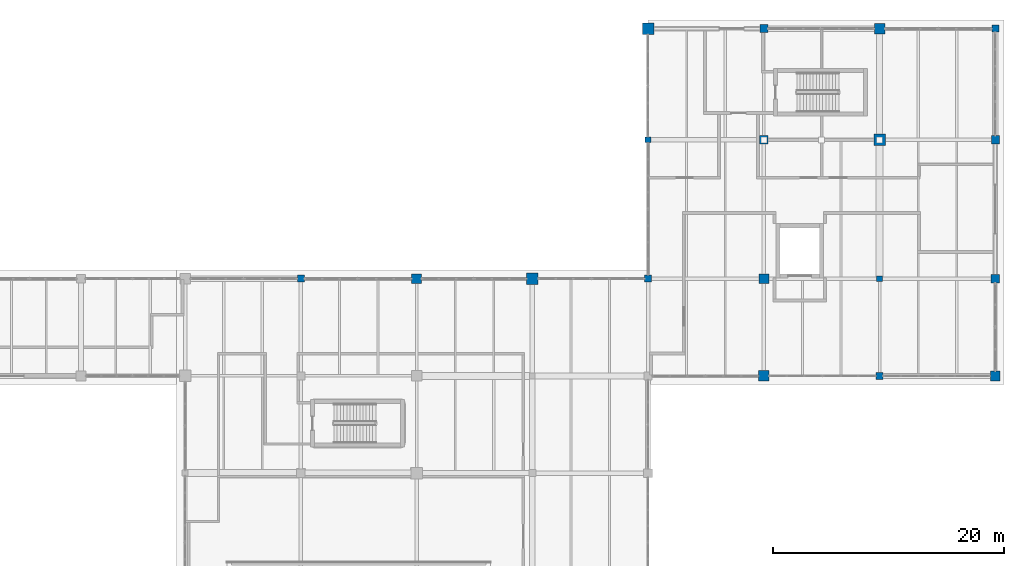
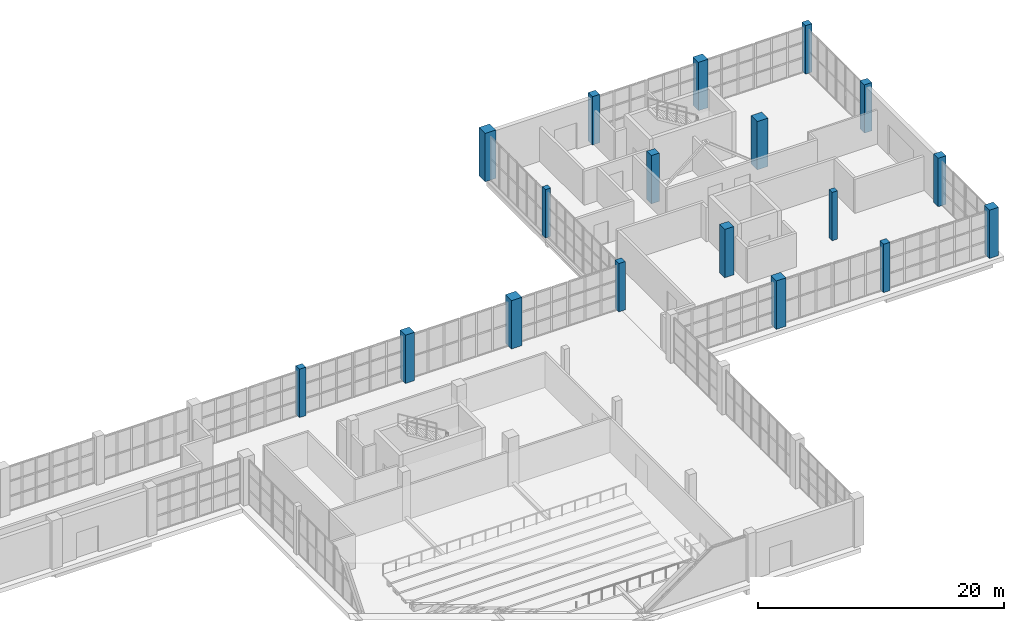
# One storey, part 3 of 121: 18 columns.
"""IFC4 building model written with IfcOpenShell, lengths in metres."""

from ifc_helpers import new_model, si_unit, direction, frame, origin, origin_2d, place, context, subcontext, project, spatial, rectangle, extrude, material, material_profile, profile_set, type_object, element, save


model = new_model("IFC4")

# Units and contexts
model_context = context("Model", 3, precision=1e-05, world=origin(), true_north=direction((0.0, 1.0)))
body_context = subcontext(model_context, "Body", "Model", "MODEL_VIEW")
ifc_project = project(units=[si_unit("LENGTHUNIT", "METRE"), si_unit("AREAUNIT", "SQUARE_METRE"), si_unit("VOLUMEUNIT", "CUBIC_METRE"), si_unit("PLANEANGLEUNIT", "RADIAN"), si_unit("MASSUNIT", "GRAM", prefix="KILO")], contexts=[model_context])

# Site, building, storey
site_placement = place(None, origin())
site = spatial("IfcSite", under=ifc_project, at=site_placement, CompositionType="ELEMENT")
building_placement = place(site_placement, origin())
building = spatial("IfcBuilding", under=site, at=building_placement, Name="Zereglee Splitstone Museum", CompositionType="ELEMENT")
storey_placement = place(building_placement, origin())
storey = spatial("IfcBuildingStorey", under=building, at=storey_placement, Name="L00", CompositionType="ELEMENT", Elevation=0.0)

# Columns
ifc_material = material(Name="Concrete C45/55", Category="concrete")
ifc_material_profile_1 = material_profile(ifc_material, rectangle(XDim=1.0, YDim=1.0, at=origin_2d()), Name="RC 1000x1000")
ifc_profile_set_1 = profile_set([ifc_material_profile_1], Name="Concrete C45/55")
column_type_1 = type_object("IfcColumnType", Name="C-02", PredefinedType="COLUMN", material=ifc_profile_set_1)
for number, where, z_axis, x_axis, name in (
    (1, (286.0, 38.39990234375, 0.0), (0.0, 0.0, 1.0), (1.0, 0.0, 0.0), "Column 32/E L00"),
    (2, (296.0, 60.0, 0.0), (0.0, 0.0, 1.0), (1.0, 0.0, 0.0), "Column 33/G L00"),
    (3, (316.0, 50.39990234375, 0.0), (0.0, 0.0, 1.0), (1.0, 0.0, 0.0), "Column 35/F L00"),
):
    element("IfcColumn", number, at=place(storey_placement, frame(where, z_axis=z_axis, x_axis=x_axis)), inside=storey, type_object=column_type_1, Name=name, PredefinedType="COLUMN", context=body_context, shape_type="SweptSolid", body=[
        extrude(rectangle(XDim=1.0, YDim=1.0, at=origin_2d()), origin(), (0.0, 0.0, 1.0), 4.800048828125),
    ])
ifc_material_profile_2 = material_profile(ifc_material, rectangle(XDim=0.5, YDim=0.5, at=origin_2d()), Name="RC 500x500")
ifc_profile_set_2 = profile_set([ifc_material_profile_2], Name="Concrete C45/55")
column_type_2 = type_object("IfcColumnType", Name="C-08", PredefinedType="COLUMN", material=ifc_profile_set_2)
for number, where, z_axis, x_axis, name in (
    (4, (296.0, 50.39990234375, 0.0), (0.0, 0.0, 1.0), (1.0, 0.0, 0.0), "Column 33/F L00"),
    (5, (316.0, 38.39990234375, 0.0), (0.0, 0.0, 1.0), (1.0, 0.0, 0.0), "Column 35/E L00"),
):
    element("IfcColumn", number, at=place(storey_placement, frame(where, z_axis=z_axis, x_axis=x_axis)), inside=storey, type_object=column_type_2, Name=name, PredefinedType="COLUMN", context=body_context, shape_type="SweptSolid", body=[
        extrude(rectangle(XDim=0.5, YDim=0.5, at=origin_2d()), origin(), (0.0, 0.0, 1.0), 4.800048828125),
    ])
ifc_material_profile_3 = material_profile(ifc_material, rectangle(XDim=0.60009765625, YDim=0.60009765625, at=origin_2d()), Name="RC 600x600")
ifc_profile_set_3 = profile_set([ifc_material_profile_3], Name="Concrete C45/55")
column_type_3 = type_object("IfcColumnType", Name="C-07", PredefinedType="COLUMN", material=ifc_profile_set_3)
for number, where, z_axis, x_axis, name in (
    (6, (266.0, 38.39990234375, 0.0), (0.0, 0.0, 1.0), (1.0, 0.0, 0.0), "Column 30/E L00"),
    (7, (296.0, 38.39990234375, 0.0), (0.0, 0.0, 1.0), (1.0, 0.0, 0.0), "Column 33/E L00"),
    (8, (316.0, 30.0, 0.0), (0.0, 0.0, 1.0), (1.0, 0.0, 0.0), "Column 35/D L00"),
    (9, (326.0, 60.0, 0.0), (0.0, 0.0, 1.0), (1.0, 0.0, 0.0), "Column 36/G L00"),
):
    element("IfcColumn", number, at=place(storey_placement, frame(where, z_axis=z_axis, x_axis=x_axis)), inside=storey, type_object=column_type_3, Name=name, PredefinedType="COLUMN", context=body_context, shape_type="SweptSolid", body=[
        extrude(rectangle(XDim=0.60009765625, YDim=0.60009765625, at=origin_2d()), origin(), (0.0, 0.0, 1.0), 4.800048828125),
    ])
ifc_material_profile_4 = material_profile(ifc_material, rectangle(XDim=0.699951171875, YDim=0.699951171875, at=origin_2d()), Name="RC 700x700")
ifc_profile_set_4 = profile_set([ifc_material_profile_4], Name="Concrete C45/55")
column_type_4 = type_object("IfcColumnType", Name="C-06", PredefinedType="COLUMN", material=ifc_profile_set_4)
for number, where, z_axis, x_axis, name in (
    (10, (306.0, 60.0, 0.0), (0.0, 0.0, 1.0), (1.0, 0.0, 0.0), "Column 34/G L00"),
    (11, (326.0, 50.39990234375, 0.0), (0.0, 0.0, 1.0), (1.0, 0.0, 0.0), "Column 36/F L00"),
):
    element("IfcColumn", number, at=place(storey_placement, frame(where, z_axis=z_axis, x_axis=x_axis)), inside=storey, type_object=column_type_4, Name=name, PredefinedType="COLUMN", context=body_context, shape_type="SweptSolid", body=[
        extrude(rectangle(XDim=0.699951171875, YDim=0.699951171875, at=origin_2d()), origin(), (0.0, 0.0, 1.0), 4.800048828125),
    ])
ifc_material_profile_5 = material_profile(ifc_material, rectangle(XDim=0.75, YDim=0.75, at=origin_2d()), Name="RC 750x750")
ifc_profile_set_5 = profile_set([ifc_material_profile_5], Name="Concrete C45/55")
column_type_5 = type_object("IfcColumnType", Name="C-05", PredefinedType="COLUMN", material=ifc_profile_set_5)
for number, where, z_axis, x_axis, name in (
    (12, (306.0, 50.39990234375, 0.0), (0.0, 0.0, 1.0), (1.0, 0.0, 0.0), "Column 34/F L00"),
    (13, (326.0, 38.39990234375, 0.0), (0.0, 0.0, 1.0), (1.0, 0.0, 0.0), "Column 36/E L00"),
):
    element("IfcColumn", number, at=place(storey_placement, frame(where, z_axis=z_axis, x_axis=x_axis)), inside=storey, type_object=column_type_5, Name=name, PredefinedType="COLUMN", context=body_context, shape_type="SweptSolid", body=[
        extrude(rectangle(XDim=0.75, YDim=0.75, at=origin_2d()), origin(), (0.0, 0.0, 1.0), 4.800048828125),
    ])
ifc_material_profile_6 = material_profile(ifc_material, rectangle(XDim=0.85009765625, YDim=0.85009765625, at=origin_2d()), Name="RC 850x850")
ifc_profile_set_6 = profile_set([ifc_material_profile_6], Name="Concrete C45/55")
column_type_6 = type_object("IfcColumnType", Name="C-04", PredefinedType="COLUMN", material=ifc_profile_set_6)
for number, where, z_axis, x_axis, name in (
    (14, (276.0, 38.39990234375, 0.0), (0.0, 0.0, 1.0), (1.0, 0.0, 0.0), "Column 31/E L00"),
    (15, (306.0, 38.39990234375, 0.0), (0.0, 0.0, 1.0), (1.0, 0.0, 0.0), "Column 34/E L00"),
    (16, (326.0, 30.0, 0.0), (0.0, 0.0, 1.0), (1.0, 0.0, 0.0), "Column 36/D L00"),
):
    element("IfcColumn", number, at=place(storey_placement, frame(where, z_axis=z_axis, x_axis=x_axis)), inside=storey, type_object=column_type_6, Name=name, PredefinedType="COLUMN", context=body_context, shape_type="SweptSolid", body=[
        extrude(rectangle(XDim=0.85009765625, YDim=0.85009765625, at=origin_2d()), origin(), (0.0, 0.0, 1.0), 4.800048828125),
    ])
ifc_material_profile_7 = material_profile(ifc_material, rectangle(XDim=0.89990234375, YDim=0.89990234375, at=origin_2d()), Name="RC 900x900")
ifc_profile_set_7 = profile_set([ifc_material_profile_7], Name="Concrete C45/55")
column_type_7 = type_object("IfcColumnType", Name="C-03", PredefinedType="COLUMN", material=ifc_profile_set_7)
for number, where, z_axis, x_axis, name in (
    (17, (306.0, 30.0, 0.0), (0.0, 0.0, 1.0), (1.0, 0.0, 0.0), "Column 34/D L00"),
    (18, (316.0, 60.0, 0.0), (0.0, 0.0, 1.0), (1.0, 0.0, 0.0), "Column 35/G L00"),
):
    element("IfcColumn", number, at=place(storey_placement, frame(where, z_axis=z_axis, x_axis=x_axis)), inside=storey, type_object=column_type_7, Name=name, PredefinedType="COLUMN", context=body_context, shape_type="SweptSolid", body=[
        extrude(rectangle(XDim=0.89990234375, YDim=0.89990234375, at=origin_2d()), origin(), (0.0, 0.0, 1.0), 4.800048828125),
    ])

save(model, "model.ifc")
